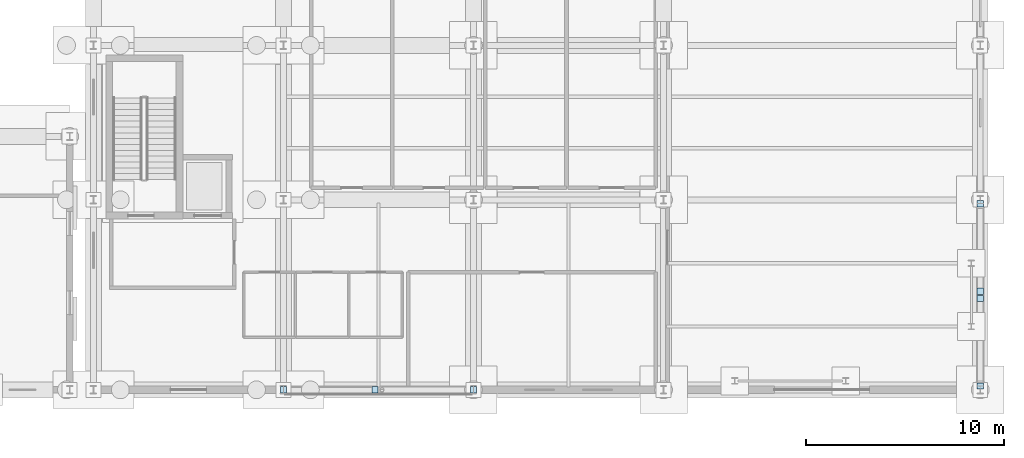
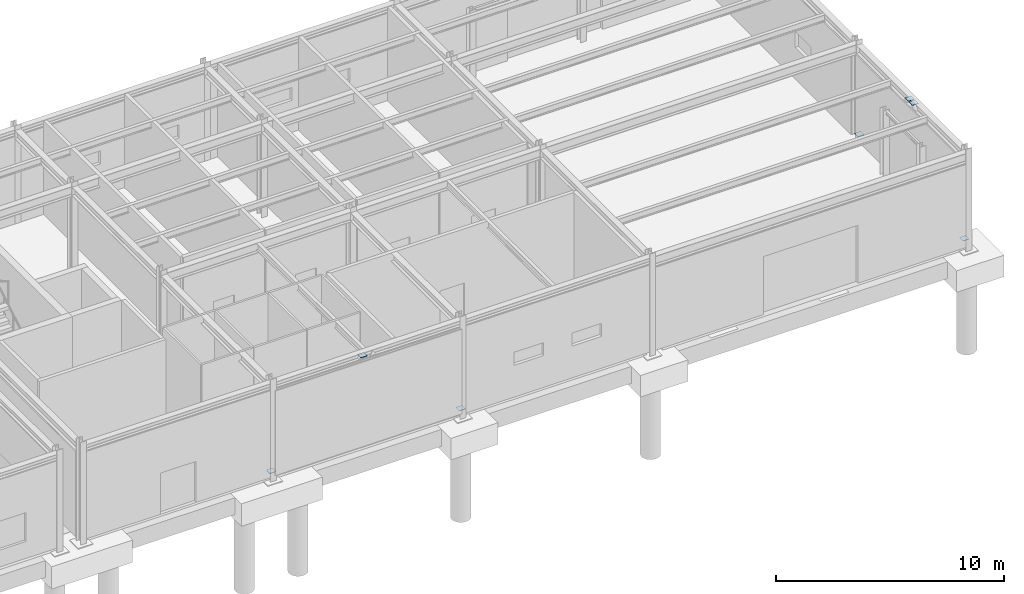
# One storey, part 83 of 109: 7 plates.
"""IFC4 building model written with IfcOpenShell, lengths in metres."""

from ifc_helpers import new_model, si_unit, direction, frame, origin, origin_2d, place, context, subcontext, project, spatial, rectangle, extrude, material, layer, layer_set, type_object, element, save


model = new_model("IFC4")

# Units and contexts
model_context = context("Model", 3, precision=1e-05, world=origin(), true_north=direction((0.0, 1.0)))
body_context = subcontext(model_context, "Body", "Model", "MODEL_VIEW")
ifc_project = project(units=[si_unit("LENGTHUNIT", "METRE"), si_unit("AREAUNIT", "SQUARE_METRE"), si_unit("VOLUMEUNIT", "CUBIC_METRE"), si_unit("PLANEANGLEUNIT", "RADIAN"), si_unit("MASSUNIT", "GRAM", prefix="KILO")], contexts=[model_context])

# Site, building, storey
site_placement = place(None, origin())
site = spatial("IfcSite", under=ifc_project, at=site_placement, CompositionType="ELEMENT")
building_placement = place(site_placement, origin())
building = spatial("IfcBuilding", under=site, at=building_placement, Name="Nordkorset Police Headquarters", CompositionType="ELEMENT")
storey_placement = place(building_placement, origin())
storey = spatial("IfcBuildingStorey", under=building, at=storey_placement, Name="L00", CompositionType="ELEMENT", Elevation=0.0)

# Plates
ifc_material = material(Name="Steel S355J2", Category="steel")
ifc_layer = layer(ifc_material, 0.02001953125, Name="Steel S355J2")
ifc_layer_set = layer_set([ifc_layer], Name="Steel S355J2")
plate_type = type_object("IfcPlateType", Name="SteelPlate_20mm", PredefinedType="SHEET", material=ifc_layer_set)
for number, where, z_axis, x_axis, name in (
    (1, (136.006591796875, 0.0, 0.18994140625), (0.0, 0.0, 1.0), (1.0, 0.0, 0.0), "Hollow Section End Cap Plate BF-EXT-V6S-L00-D1-0"),
    (2, (140.6201171875, 0.0, 4.77001953125), (0.0, 0.0, 1.0), (1.0, 0.0, 0.0), "Hollow Section End Cap Plate BF-EXT-V6S-L00-D1-1"),
    (3, (145.59326171875, 0.0, 0.18994140625), (0.0, 0.0, 1.0), (1.0, 0.0, 0.0), "Hollow Section End Cap Plate BF-EXT-V6S-L00-D2-0"),
    (4, (171.199951171875, 0.199951171875, 0.18994140625), (0.0, 0.0, 1.0), (1.0, 0.0, 0.0), "Hollow Section End Cap Plate BF-EXT-V6E-L00-D1-0"),
    (5, (171.199951171875, 4.6201171875, 4.77001953125), (0.0, 0.0, 1.0), (1.0, 0.0, 0.0), "Hollow Section End Cap Plate BF-EXT-V6E-L00-D1-1"),
    (6, (171.199951171875, 9.39990234375, 0.18994140625), (0.0, 0.0, 1.0), (1.0, 0.0, 0.0), "Hollow Section End Cap Plate BF-EXT-V6E-L00-D2-0"),
    (7, (171.199951171875, 4.97998046875, 4.77001953125), (0.0, 0.0, 1.0), (1.0, 0.0, 0.0), "Hollow Section End Cap Plate BF-EXT-V6E-L00-D2-1"),
):
    element("IfcPlate", number, at=place(storey_placement, frame(where, z_axis=z_axis, x_axis=x_axis)), inside=storey, type_object=plate_type, Name=name, PredefinedType="SHEET", context=body_context, shape_type="SweptSolid", body=[
        extrude(rectangle(XDim=0.31298828125, YDim=0.31298828125, at=origin_2d()), origin(), (0.0, 0.0, 1.0), 0.02001953125),
    ])

save(model, "model.ifc")
